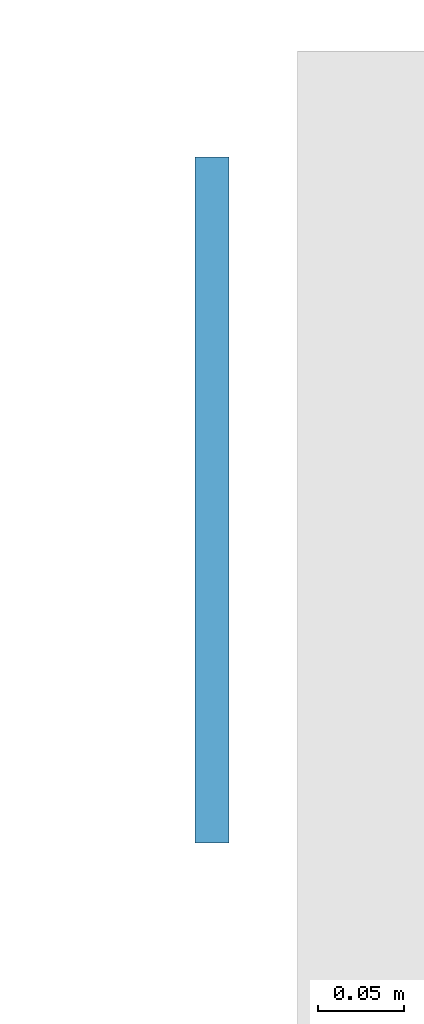
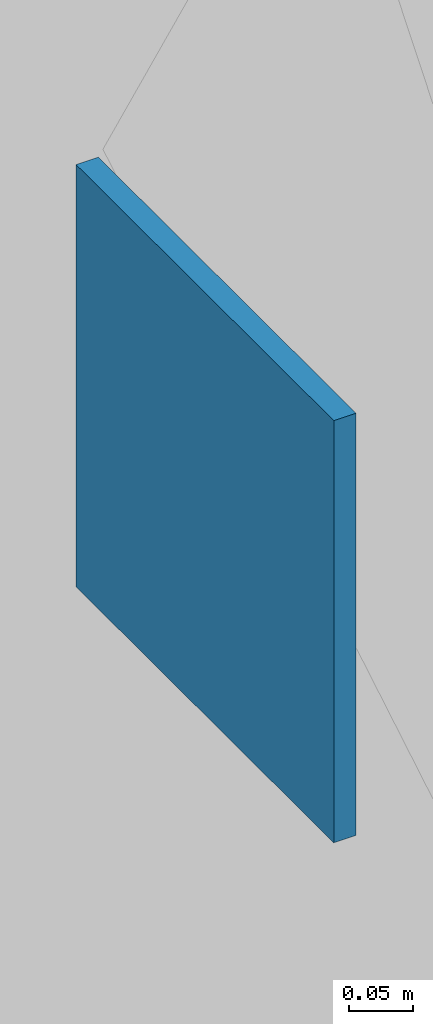
# One storey, part 10 of 20: 1 discrete accessory.
"""IFC4 building model written with IfcOpenShell, lengths in metres."""

from ifc_helpers import new_model, si_unit, direction, frame, origin, origin_2d, place, context, subcontext, project, spatial, rectangle, extrude, material, material_profile, profile_set, type_object, element, save


model = new_model("IFC4")

# Units and contexts
model_context = context("Model", 3, precision=1e-05, world=origin(), true_north=direction((0.0, 1.0)))
body_context = subcontext(model_context, "Body", "Model", "MODEL_VIEW")
ifc_project = project(units=[si_unit("LENGTHUNIT", "METRE"), si_unit("AREAUNIT", "SQUARE_METRE"), si_unit("VOLUMEUNIT", "CUBIC_METRE"), si_unit("PLANEANGLEUNIT", "RADIAN"), si_unit("MASSUNIT", "GRAM", prefix="KILO")], contexts=[model_context])

# Site, building, storey
site_placement = place(None, origin())
site = spatial("IfcSite", under=ifc_project, at=site_placement, CompositionType="ELEMENT")
building_placement = place(site_placement, origin())
building = spatial("IfcBuilding", under=site, at=building_placement, Name="Cypress Arch Tower", CompositionType="ELEMENT")
storey_placement = place(building_placement, frame((0.0, 0.0, 73.5)))
storey = spatial("IfcBuildingStorey", under=building, at=storey_placement, Name="L12", CompositionType="ELEMENT", Elevation=73.5)

# Discrete accessory
ifc_material = material(Name="Steel ASTM A992", Category="steel")
ifc_material_profile = material_profile(ifc_material, rectangle(XDim=0.39990234375, YDim=0.39990234375, at=origin_2d()), Name="PL 20 400x400")
ifc_profile_set = profile_set([ifc_material_profile], Name="Steel ASTM A992")
discrete_accessory_type = type_object("IfcDiscreteAccessoryType", Name="West bracing diagonal end plate 400x400x20 Steel ASTM A992", PredefinedType="ANCHORPLATE", material=ifc_profile_set)
discrete_accessory_placement = place(storey_placement, frame((-31.099609375, -0.26171875, 3.241943359375), z_axis=(-1.0, 0.0, 0.0), x_axis=(0.0, -1.0, 0.0)))
element("IfcDiscreteAccessory", 1, at=discrete_accessory_placement, inside=storey, type_object=discrete_accessory_type, Name="End plate west bracing diagonal 1B", PredefinedType="ANCHORPLATE", context=body_context, shape_type="SweptSolid", body=[
    extrude(rectangle(XDim=0.39990234375, YDim=0.39990234375, at=origin_2d()), origin(), (0.0, 0.0, 1.0), 0.02001953125),
])

save(model, "model.ifc")
